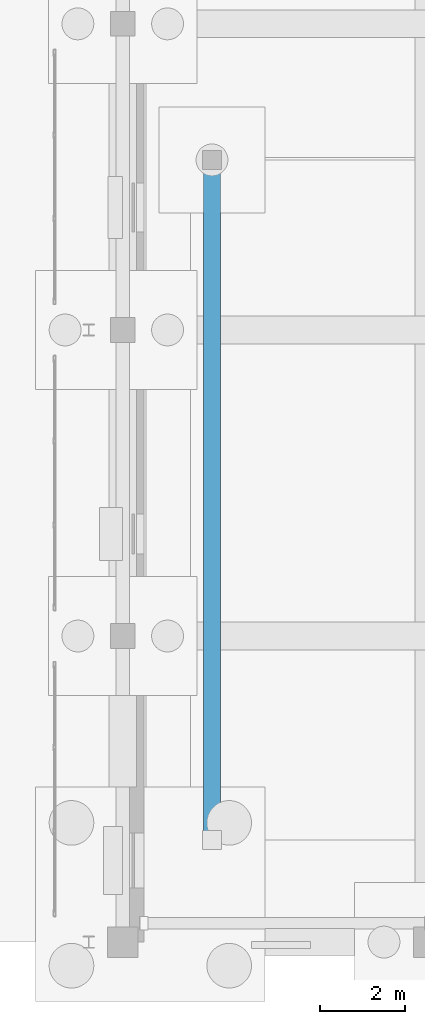
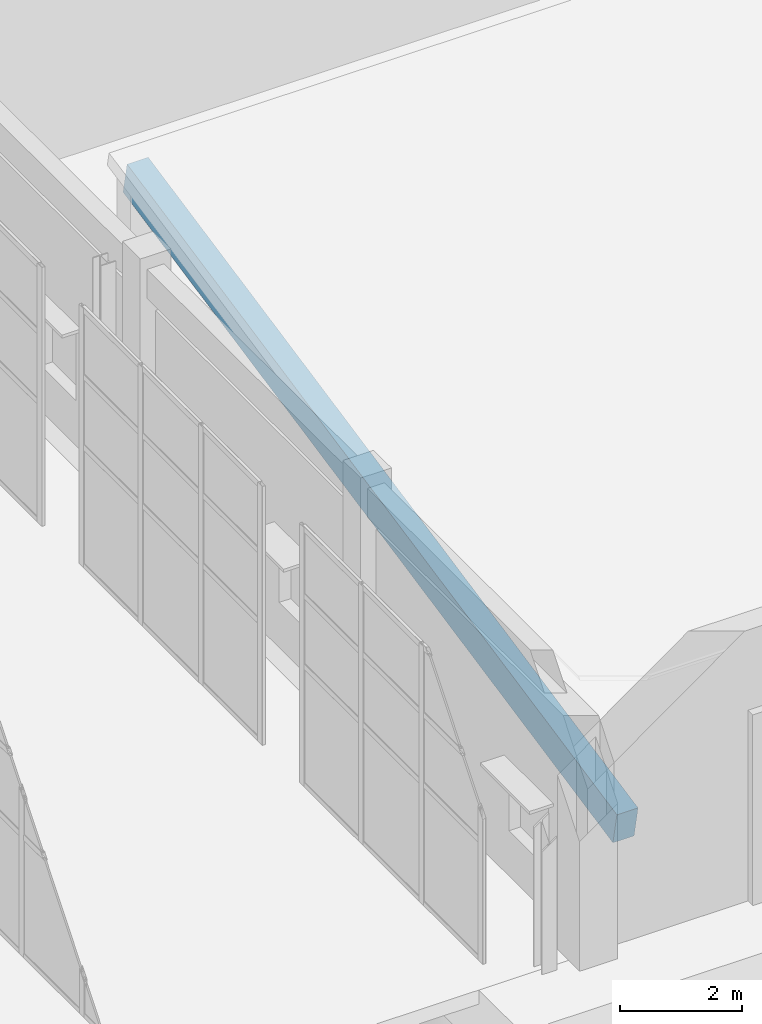
# One storey, part 24 of 91: 1 beam.
"""IFC4 building model written with IfcOpenShell, lengths in metres."""

from ifc_helpers import new_model, si_unit, direction, frame, origin, origin_2d, place, context, subcontext, project, spatial, rectangle, extrude, material, material_profile, profile_set, type_object, element, save


model = new_model("IFC4")

# Units and contexts
model_context = context("Model", 3, precision=1e-05, world=origin(), true_north=direction((0.0, 1.0)))
body_context = subcontext(model_context, "Body", "Model", "MODEL_VIEW")
ifc_project = project(units=[si_unit("LENGTHUNIT", "METRE"), si_unit("AREAUNIT", "SQUARE_METRE"), si_unit("VOLUMEUNIT", "CUBIC_METRE"), si_unit("PLANEANGLEUNIT", "RADIAN"), si_unit("MASSUNIT", "GRAM", prefix="KILO")], contexts=[model_context])

# Site, building, storey
site_placement = place(None, origin())
site = spatial("IfcSite", under=ifc_project, at=site_placement, CompositionType="ELEMENT")
building_placement = place(site_placement, origin())
building = spatial("IfcBuilding", under=site, at=building_placement, Name="Bramveld Media Centre", CompositionType="ELEMENT")
storey_placement = place(building_placement, origin())
storey = spatial("IfcBuildingStorey", under=building, at=storey_placement, Name="L00", CompositionType="ELEMENT", Elevation=0.0)

# Beam
ifc_material = material(Name="Concrete C40/50", Category="concrete")
ifc_material_profile = material_profile(ifc_material, rectangle(XDim=0.39990234375, YDim=0.64990234375, at=origin_2d()), Name="RC 400x650")
ifc_profile_set = profile_set([ifc_material_profile], Name="Concrete C40/50")
beam_type = type_object("IfcBeamType", Name="BM-INT-RC-400x650", PredefinedType="BEAM", material=ifc_profile_set)
beam_placement = place(storey_placement, frame((126.10009765625, 2.39990234375, 0.375), z_axis=(0.0, 0.979747472329, 0.200237085638), x_axis=(-1.0, 0.0, 0.0)))
element("IfcBeam", 1, at=beam_placement, inside=storey, type_object=beam_type, Name="Cinema 1 Raked Seating Slab raker beam 1", PredefinedType="BEAM", context=body_context, shape_type="SweptSolid", body=[
    extrude(rectangle(XDim=0.39990234375, YDim=0.64990234375, at=origin_2d()), origin(), (0.0, 0.0, 1.0), 16.330810546875),
])

save(model, "model.ifc")
